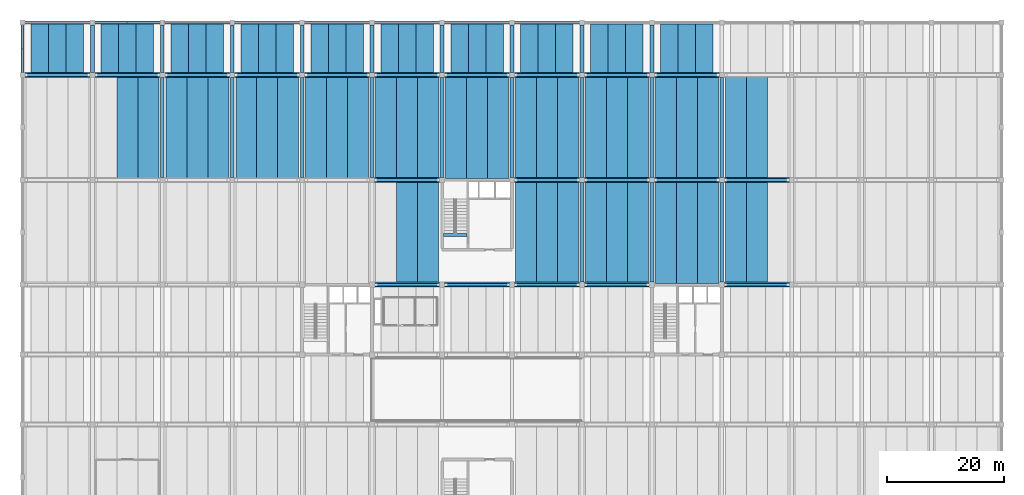
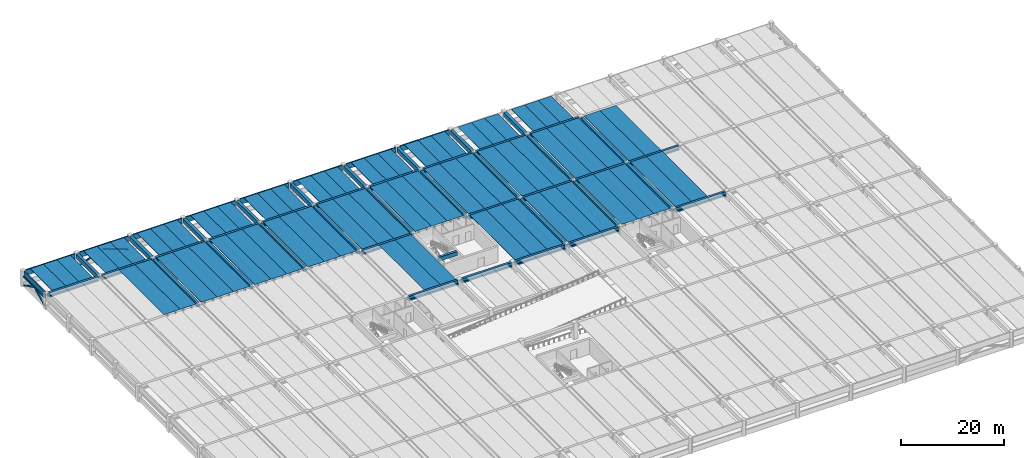
# One storey, part 4 of 19: 122 beams, 4 members.
"""IFC4 building model written with IfcOpenShell, lengths in metres."""

from ifc_helpers import new_model, si_unit, direction, frame, origin, origin_2d, place, context, subcontext, project, spatial, polyline, rectangle, hollow_rectangle, outline, extrude, material, material_profile, profile_set, type_object, element, save


model = new_model("IFC4")

# Units and contexts
model_context = context("Model", 3, precision=1e-05, world=origin(), true_north=direction((0.0, 1.0)))
body_context = subcontext(model_context, "Body", "Model", "MODEL_VIEW")
ifc_project = project(units=[si_unit("LENGTHUNIT", "METRE"), si_unit("AREAUNIT", "SQUARE_METRE"), si_unit("VOLUMEUNIT", "CUBIC_METRE"), si_unit("PLANEANGLEUNIT", "RADIAN"), si_unit("MASSUNIT", "GRAM", prefix="KILO")], contexts=[model_context])

# Site, building, storey
site_placement = place(None, origin())
site = spatial("IfcSite", under=ifc_project, at=site_placement, CompositionType="ELEMENT")
building_placement = place(site_placement, origin())
building = spatial("IfcBuilding", under=site, at=building_placement, Name="Girod Span Mobility Hub", CompositionType="ELEMENT")
storey_placement = place(building_placement, frame((0.0, 0.0, 9.60009765625)))
storey = spatial("IfcBuildingStorey", under=building, at=storey_placement, Name="L02", CompositionType="ELEMENT", Elevation=9.60009765625)

# Beams
ifc_material_1 = material(Name="Concrete C50/60", Category="concrete")
ifc_material_profile_1 = material_profile(ifc_material_1, outline(polyline([(-1.5, 0.35009765625), (-1.5, 0.2548828125), (-0.840087890625, 0.2548828125), (-0.81494140625, -0.35009765625), (-0.68505859375, -0.35009765625), (-0.659912109375, 0.2548828125), (0.659912109375, 0.2548828125), (0.68505859375, -0.35009765625), (0.81494140625, -0.35009765625), (0.840087890625, 0.2548828125), (1.5, 0.2548828125), (1.5, 0.35009765625), (-1.5, 0.35009765625)])), Name="DT-3000X700")
ifc_profile_set_1 = profile_set([ifc_material_profile_1], Name="Concrete C50/60")
beam_type_1 = type_object("IfcBeamType", Name="BM-DT-3000X700", PredefinedType="JOIST", material=ifc_profile_set_1)
for number, where, z_axis, x_axis, name in (
    (1, (3.0, 105.2470703125, 3.284912109375), (0.0, 1.0, 0.0), (-1.0, 0.0, 0.0), "Double-Tee Deck 1/H-1 L02"),
    (2, (6.0, 105.2470703125, 3.284912109375), (0.0, 1.0, 0.0), (-1.0, 0.0, 0.0), "Double-Tee Deck 1/H-2 L02"),
    (3, (9.0, 105.2470703125, 3.284912109375), (0.0, 1.0, 0.0), (-1.0, 0.0, 0.0), "Double-Tee Deck 1/H-3 L02"),
    (4, (15.0, 105.2470703125, 3.284912109375), (0.0, 1.0, 0.0), (-1.0, 0.0, 0.0), "Double-Tee Deck 2/H-1 L02"),
    (5, (18.0, 105.2470703125, 3.284912109375), (0.0, 1.0, 0.0), (-1.0, 0.0, 0.0), "Double-Tee Deck 2/H-2 L02"),
    (6, (21.0, 105.2470703125, 3.284912109375), (0.0, 1.0, 0.0), (-1.0, 0.0, 0.0), "Double-Tee Deck 2/H-3 L02"),
    (7, (27.0, 105.2470703125, 3.284912109375), (0.0, 1.0, 0.0), (-1.0, 0.0, 0.0), "Double-Tee Deck 3/H-1 L02"),
    (8, (30.0, 105.2470703125, 3.284912109375), (0.0, 1.0, 0.0), (-1.0, 0.0, 0.0), "Double-Tee Deck 3/H-2 L02"),
    (9, (33.0, 105.2470703125, 3.284912109375), (0.0, 1.0, 0.0), (-1.0, 0.0, 0.0), "Double-Tee Deck 3/H-3 L02"),
    (10, (39.0, 105.2470703125, 3.284912109375), (0.0, 1.0, 0.0), (-1.0, 0.0, 0.0), "Double-Tee Deck 4/H-1 L02"),
    (11, (42.0, 105.2470703125, 3.284912109375), (0.0, 1.0, 0.0), (-1.0, 0.0, 0.0), "Double-Tee Deck 4/H-2 L02"),
    (12, (45.0, 105.2470703125, 3.284912109375), (0.0, 1.0, 0.0), (-1.0, 0.0, 0.0), "Double-Tee Deck 4/H-3 L02"),
    (13, (51.0, 105.2470703125, 3.284912109375), (0.0, 1.0, 0.0), (-1.0, 0.0, 0.0), "Double-Tee Deck 5/H-1 L02"),
    (14, (54.0, 105.2470703125, 3.284912109375), (0.0, 1.0, 0.0), (-1.0, 0.0, 0.0), "Double-Tee Deck 5/H-2 L02"),
    (15, (57.0, 105.2470703125, 3.284912109375), (0.0, 1.0, 0.0), (-1.0, 0.0, 0.0), "Double-Tee Deck 5/H-3 L02"),
    (16, (63.0, 105.2470703125, 3.284912109375), (0.0, 1.0, 0.0), (-1.0, 0.0, 0.0), "Double-Tee Deck 6/H-1 L02"),
    (17, (66.0, 105.2470703125, 3.284912109375), (0.0, 1.0, 0.0), (-1.0, 0.0, 0.0), "Double-Tee Deck 6/H-2 L02"),
    (18, (69.0, 105.2470703125, 3.284912109375), (0.0, 1.0, 0.0), (-1.0, 0.0, 0.0), "Double-Tee Deck 6/H-3 L02"),
    (19, (75.0, 105.2470703125, 3.284912109375), (0.0, 1.0, 0.0), (-1.0, 0.0, 0.0), "Double-Tee Deck 7/H-1 L02"),
    (20, (78.0, 105.2470703125, 3.284912109375), (0.0, 1.0, 0.0), (-1.0, 0.0, 0.0), "Double-Tee Deck 7/H-2 L02"),
    (21, (81.0, 105.2470703125, 3.284912109375), (0.0, 1.0, 0.0), (-1.0, 0.0, 0.0), "Double-Tee Deck 7/H-3 L02"),
    (22, (87.0, 105.2470703125, 3.284912109375), (0.0, 1.0, 0.0), (-1.0, 0.0, 0.0), "Double-Tee Deck 8/H-1 L02"),
    (23, (90.0, 105.2470703125, 3.284912109375), (0.0, 1.0, 0.0), (-1.0, 0.0, 0.0), "Double-Tee Deck 8/H-2 L02"),
    (24, (93.0, 105.2470703125, 3.284912109375), (0.0, 1.0, 0.0), (-1.0, 0.0, 0.0), "Double-Tee Deck 8/H-3 L02"),
    (25, (99.0, 105.2470703125, 3.284912109375), (0.0, 1.0, 0.0), (-1.0, 0.0, 0.0), "Double-Tee Deck 9/H-1 L02"),
    (26, (102.0, 105.2470703125, 3.284912109375), (0.0, 1.0, 0.0), (-1.0, 0.0, 0.0), "Double-Tee Deck 9/H-2 L02"),
    (27, (105.0, 105.2470703125, 3.284912109375), (0.0, 1.0, 0.0), (-1.0, 0.0, 0.0), "Double-Tee Deck 9/H-3 L02"),
    (28, (111.0, 105.2470703125, 3.284912109375), (0.0, 1.0, 0.0), (-1.0, 0.0, 0.0), "Double-Tee Deck 10/H-1 L02"),
    (29, (114.0, 105.2470703125, 3.284912109375), (0.0, 1.0, 0.0), (-1.0, 0.0, 0.0), "Double-Tee Deck 10/H-2 L02"),
    (30, (117.0, 105.2470703125, 3.284912109375), (0.0, 1.0, 0.0), (-1.0, 0.0, 0.0), "Double-Tee Deck 10/H-3 L02"),
):
    element("IfcBeam", number, at=place(storey_placement, frame(where, z_axis=z_axis, x_axis=x_axis)), inside=storey, type_object=beam_type_1, Name=name, PredefinedType="JOIST", context=body_context, shape_type="SweptSolid", body=[
        extrude(outline(polyline([(-1.5, 0.35009765625), (-1.5, 0.2548828125), (-0.840087890625, 0.2548828125), (-0.81494140625, -0.35009765625), (-0.68505859375, -0.35009765625), (-0.659912109375, 0.2548828125), (0.659912109375, 0.2548828125), (0.68505859375, -0.35009765625), (0.81494140625, -0.35009765625), (0.840087890625, 0.2548828125), (1.5, 0.2548828125), (1.5, 0.35009765625), (-1.5, 0.35009765625)])), origin(), (0.0, 0.0, 1.0), 8.531005859375),
    ])
ifc_material_2 = material(Name="Concrete C50/60", Category="concrete")
ifc_material_profile_2 = material_profile(ifc_material_2, outline(polyline([(-1.800048828125, 0.425048828125), (-1.800048828125, 0.324951171875), (-1.0, 0.324951171875), (-0.969970703125, -0.425048828125), (-0.830078125, -0.425048828125), (-0.800048828125, 0.324951171875), (0.800048828125, 0.324951171875), (0.830078125, -0.425048828125), (0.969970703125, -0.425048828125), (1.0, 0.324951171875), (1.800048828125, 0.324951171875), (1.800048828125, 0.425048828125), (-1.800048828125, 0.425048828125)])), Name="DT-3600X850")
ifc_profile_set_2 = profile_set([ifc_material_profile_2], Name="Concrete C50/60")
beam_type_2 = type_object("IfcBeamType", Name="BM-DT-3600X850", PredefinedType="JOIST", material=ifc_profile_set_2)
for number, where, z_axis, x_axis, name in (
    (31, (18.0, 87.2470703125, 3.2099609375), (0.0, 1.0, 0.0), (-1.0, 0.0, 0.0), "Double-Tee Deck 2/G-2 L02"),
    (32, (21.60009765625, 87.2470703125, 3.2099609375), (0.0, 1.0, 0.0), (-1.0, 0.0, 0.0), "Double-Tee Deck 2/G-3 L02"),
    (33, (26.39990234375, 87.2470703125, 3.2099609375), (0.0, 1.0, 0.0), (-1.0, 0.0, 0.0), "Double-Tee Deck 3/G-1 L02"),
    (34, (30.0, 87.2470703125, 3.2099609375), (0.0, 1.0, 0.0), (-1.0, 0.0, 0.0), "Double-Tee Deck 3/G-2 L02"),
    (35, (33.60009765625, 87.2470703125, 3.2099609375), (0.0, 1.0, 0.0), (-1.0, 0.0, 0.0), "Double-Tee Deck 3/G-3 L02"),
    (36, (38.39990234375, 87.2470703125, 3.2099609375), (0.0, 1.0, 0.0), (-1.0, 0.0, 0.0), "Double-Tee Deck 4/G-1 L02"),
    (37, (42.0, 87.2470703125, 3.2099609375), (0.0, 1.0, 0.0), (-1.0, 0.0, 0.0), "Double-Tee Deck 4/G-2 L02"),
    (38, (45.60009765625, 87.2470703125, 3.2099609375), (0.0, 1.0, 0.0), (-1.0, 0.0, 0.0), "Double-Tee Deck 4/G-3 L02"),
    (39, (50.39990234375, 87.2470703125, 3.2099609375), (0.0, 1.0, 0.0), (-1.0, 0.0, 0.0), "Double-Tee Deck 5/G-1 L02"),
    (40, (54.0, 87.2470703125, 3.2099609375), (0.0, 1.0, 0.0), (-1.0, 0.0, 0.0), "Double-Tee Deck 5/G-2 L02"),
    (41, (57.60009765625, 87.2470703125, 3.2099609375), (0.0, 1.0, 0.0), (-1.0, 0.0, 0.0), "Double-Tee Deck 5/G-3 L02"),
    (42, (66.0, 69.2470703125, 3.2099609375), (0.0, 1.0, 0.0), (-1.0, 0.0, 0.0), "Double-Tee Deck 6/F-2 L02"),
    (43, (69.60009765625, 69.2470703125, 3.2099609375), (0.0, 1.0, 0.0), (-1.0, 0.0, 0.0), "Double-Tee Deck 6/F-3 L02"),
    (44, (62.39990234375, 87.2470703125, 3.2099609375), (0.0, 1.0, 0.0), (-1.0, 0.0, 0.0), "Double-Tee Deck 6/G-1 L02"),
    (45, (66.0, 87.2470703125, 3.2099609375), (0.0, 1.0, 0.0), (-1.0, 0.0, 0.0), "Double-Tee Deck 6/G-2 L02"),
    (46, (69.60009765625, 87.2470703125, 3.2099609375), (0.0, 1.0, 0.0), (-1.0, 0.0, 0.0), "Double-Tee Deck 6/G-3 L02"),
):
    element("IfcBeam", number, at=place(storey_placement, frame(where, z_axis=z_axis, x_axis=x_axis)), inside=storey, type_object=beam_type_2, Name=name, PredefinedType="JOIST", context=body_context, shape_type="SweptSolid", body=[
        extrude(outline(polyline([(-1.800048828125, 0.425048828125), (-1.800048828125, 0.324951171875), (-1.0, 0.324951171875), (-0.969970703125, -0.425048828125), (-0.830078125, -0.425048828125), (-0.800048828125, 0.324951171875), (0.800048828125, 0.324951171875), (0.830078125, -0.425048828125), (0.969970703125, -0.425048828125), (1.0, 0.324951171875), (1.800048828125, 0.324951171875), (1.800048828125, 0.425048828125), (-1.800048828125, 0.425048828125)])), origin(), (0.0, 0.0, 1.0), 17.505859375),
    ])
for number, where, z_axis, x_axis, name in (
    (47, (74.39990234375, 87.221923828125, 3.2099609375), (0.0, 1.0, 0.0), (-1.0, 0.0, 0.0), "Double-Tee Deck 7/G-1 L02"),
    (48, (78.0, 87.221923828125, 3.2099609375), (0.0, 1.0, 0.0), (-1.0, 0.0, 0.0), "Double-Tee Deck 7/G-2 L02"),
    (49, (81.60009765625, 87.221923828125, 3.2099609375), (0.0, 1.0, 0.0), (-1.0, 0.0, 0.0), "Double-Tee Deck 7/G-3 L02"),
):
    element("IfcBeam", number, at=place(storey_placement, frame(where, z_axis=z_axis, x_axis=x_axis)), inside=storey, type_object=beam_type_2, Name=name, PredefinedType="JOIST", context=body_context, shape_type="SweptSolid", body=[
        extrude(outline(polyline([(-1.800048828125, 0.425048828125), (-1.800048828125, 0.324951171875), (-1.0, 0.324951171875), (-0.969970703125, -0.425048828125), (-0.830078125, -0.425048828125), (-0.800048828125, 0.324951171875), (0.800048828125, 0.324951171875), (0.830078125, -0.425048828125), (0.969970703125, -0.425048828125), (1.0, 0.324951171875), (1.800048828125, 0.324951171875), (1.800048828125, 0.425048828125), (-1.800048828125, 0.425048828125)])), origin(), (0.0, 0.0, 1.0), 17.531005859375),
    ])
for number, where, z_axis, x_axis, name in (
    (50, (86.39990234375, 69.2470703125, 3.2099609375), (0.0, 1.0, 0.0), (-1.0, 0.0, 0.0), "Double-Tee Deck 8/F-1 L02"),
    (51, (90.0, 69.2470703125, 3.2099609375), (0.0, 1.0, 0.0), (-1.0, 0.0, 0.0), "Double-Tee Deck 8/F-2 L02"),
    (52, (93.60009765625, 69.2470703125, 3.2099609375), (0.0, 1.0, 0.0), (-1.0, 0.0, 0.0), "Double-Tee Deck 8/F-3 L02"),
    (53, (86.39990234375, 87.2470703125, 3.2099609375), (0.0, 1.0, 0.0), (-1.0, 0.0, 0.0), "Double-Tee Deck 8/G-1 L02"),
    (54, (90.0, 87.2470703125, 3.2099609375), (0.0, 1.0, 0.0), (-1.0, 0.0, 0.0), "Double-Tee Deck 8/G-2 L02"),
    (55, (93.60009765625, 87.2470703125, 3.2099609375), (0.0, 1.0, 0.0), (-1.0, 0.0, 0.0), "Double-Tee Deck 8/G-3 L02"),
    (56, (98.39990234375, 69.2470703125, 3.2099609375), (0.0, 1.0, 0.0), (-1.0, 0.0, 0.0), "Double-Tee Deck 9/F-1 L02"),
    (57, (102.0, 69.2470703125, 3.2099609375), (0.0, 1.0, 0.0), (-1.0, 0.0, 0.0), "Double-Tee Deck 9/F-2 L02"),
    (58, (105.60009765625, 69.2470703125, 3.2099609375), (0.0, 1.0, 0.0), (-1.0, 0.0, 0.0), "Double-Tee Deck 9/F-3 L02"),
    (59, (98.39990234375, 87.2470703125, 3.2099609375), (0.0, 1.0, 0.0), (-1.0, 0.0, 0.0), "Double-Tee Deck 9/G-1 L02"),
    (60, (102.0, 87.2470703125, 3.2099609375), (0.0, 1.0, 0.0), (-1.0, 0.0, 0.0), "Double-Tee Deck 9/G-2 L02"),
    (61, (105.60009765625, 87.2470703125, 3.2099609375), (0.0, 1.0, 0.0), (-1.0, 0.0, 0.0), "Double-Tee Deck 9/G-3 L02"),
    (62, (110.39990234375, 69.2470703125, 3.2099609375), (0.0, 1.0, 0.0), (-1.0, 0.0, 0.0), "Double-Tee Deck 10/F-1 L02"),
    (63, (114.0, 69.2470703125, 3.2099609375), (0.0, 1.0, 0.0), (-1.0, 0.0, 0.0), "Double-Tee Deck 10/F-2 L02"),
    (64, (117.60009765625, 69.2470703125, 3.2099609375), (0.0, 1.0, 0.0), (-1.0, 0.0, 0.0), "Double-Tee Deck 10/F-3 L02"),
    (65, (110.39990234375, 87.2470703125, 3.2099609375), (0.0, 1.0, 0.0), (-1.0, 0.0, 0.0), "Double-Tee Deck 10/G-1 L02"),
    (66, (114.0, 87.2470703125, 3.2099609375), (0.0, 1.0, 0.0), (-1.0, 0.0, 0.0), "Double-Tee Deck 10/G-2 L02"),
    (67, (117.60009765625, 87.2470703125, 3.2099609375), (0.0, 1.0, 0.0), (-1.0, 0.0, 0.0), "Double-Tee Deck 10/G-3 L02"),
    (68, (122.39990234375, 69.2470703125, 3.2099609375), (0.0, 1.0, 0.0), (-1.0, 0.0, 0.0), "Double-Tee Deck 11/F-1 L02"),
    (69, (126.0, 69.2470703125, 3.2099609375), (0.0, 1.0, 0.0), (-1.0, 0.0, 0.0), "Double-Tee Deck 11/F-2 L02"),
    (70, (122.39990234375, 87.2470703125, 3.2099609375), (0.0, 1.0, 0.0), (-1.0, 0.0, 0.0), "Double-Tee Deck 11/G-1 L02"),
    (71, (126.0, 87.2470703125, 3.2099609375), (0.0, 1.0, 0.0), (-1.0, 0.0, 0.0), "Double-Tee Deck 11/G-2 L02"),
):
    element("IfcBeam", number, at=place(storey_placement, frame(where, z_axis=z_axis, x_axis=x_axis)), inside=storey, type_object=beam_type_2, Name=name, PredefinedType="JOIST", context=body_context, shape_type="SweptSolid", body=[
        extrude(outline(polyline([(-1.800048828125, 0.425048828125), (-1.800048828125, 0.324951171875), (-1.0, 0.324951171875), (-0.969970703125, -0.425048828125), (-0.830078125, -0.425048828125), (-0.800048828125, 0.324951171875), (0.800048828125, 0.324951171875), (0.830078125, -0.425048828125), (0.969970703125, -0.425048828125), (1.0, 0.324951171875), (1.800048828125, 0.324951171875), (1.800048828125, 0.425048828125), (-1.800048828125, 0.425048828125)])), origin(), (0.0, 0.0, 1.0), 17.505859375),
    ])
ifc_material_3 = material(Name="Concrete C50/60", Category="concrete")
ifc_material_profile_3 = material_profile(ifc_material_3, outline(polyline([(-0.425048828125, -0.47509765625), (0.425048828125, -0.47509765625), (0.425048828125, -0.155029296875), (0.25, -0.155029296875), (0.25, 0.47509765625), (-0.25, 0.47509765625), (-0.25, -0.155029296875), (-0.425048828125, -0.155029296875), (-0.425048828125, -0.47509765625)])), Name="IT-850X950")
ifc_profile_set_3 = profile_set([ifc_material_profile_3], Name="Concrete C50/60")
beam_type_3 = type_object("IfcBeamType", Name="BM-IT-850X950", PredefinedType="T_BEAM", material=ifc_profile_set_3)
for number, where, z_axis, x_axis, name in (
    (72, (60.447021484375, 69.0, 3.159912109375), (1.0, 0.0, 0.0), (0.0, 1.0, 0.0), "Girder 6-7/F L02"),
    (73, (72.447021484375, 69.0, 3.159912109375), (1.0, 0.0, 0.0), (0.0, 1.0, 0.0), "Girder 7-8/F L02"),
    (74, (84.447021484375, 69.0, 3.159912109375), (1.0, 0.0, 0.0), (0.0, 1.0, 0.0), "Girder 8-9/F L02"),
    (75, (96.447021484375, 69.0, 3.159912109375), (1.0, 0.0, 0.0), (0.0, 1.0, 0.0), "Girder 9-10/F L02"),
):
    element("IfcBeam", number, at=place(storey_placement, frame(where, z_axis=z_axis, x_axis=x_axis)), inside=storey, type_object=beam_type_3, Name=name, PredefinedType="T_BEAM", context=body_context, shape_type="SweptSolid", body=[
        extrude(outline(polyline([(-0.425048828125, -0.47509765625), (0.425048828125, -0.47509765625), (0.425048828125, -0.155029296875), (0.25, -0.155029296875), (0.25, 0.47509765625), (-0.25, 0.47509765625), (-0.25, -0.155029296875), (-0.425048828125, -0.155029296875), (-0.425048828125, -0.47509765625)])), origin(), (0.0, 0.0, 1.0), 11.10595703125),
    ])
beam_1_placement = place(storey_placement, frame((120.447021484375, 69.0, 3.159912109375), z_axis=(1.0, 0.0, 0.0), x_axis=(0.0, 1.0, 0.0)))
element("IfcBeam", 76, at=beam_1_placement, inside=storey, type_object=beam_type_3, Name="Girder 11-12/F L02", PredefinedType="T_BEAM", context=body_context, shape_type="SweptSolid", body=[
    extrude(outline(polyline([(-0.425048828125, -0.47509765625), (0.425048828125, -0.47509765625), (0.425048828125, -0.155029296875), (0.25, -0.155029296875), (0.25, 0.47509765625), (-0.25, 0.47509765625), (-0.25, -0.155029296875), (-0.425048828125, -0.155029296875), (-0.425048828125, -0.47509765625)])), origin(), (0.0, 0.0, 1.0), 11.130859375),
])
for number, where, z_axis, x_axis, name in (
    (77, (60.422119140625, 87.0, 3.159912109375), (1.0, 0.0, 0.0), (0.0, 1.0, 0.0), "Girder 6-7/G L02"),
    (78, (84.422119140625, 87.0, 3.159912109375), (1.0, 0.0, 0.0), (0.0, 1.0, 0.0), "Girder 8-9/G L02"),
    (79, (96.422119140625, 87.0, 3.159912109375), (1.0, 0.0, 0.0), (0.0, 1.0, 0.0), "Girder 9-10/G L02"),
    (80, (108.422119140625, 87.0, 3.159912109375), (1.0, 0.0, 0.0), (0.0, 1.0, 0.0), "Girder 10-11/G L02"),
    (81, (120.422119140625, 87.0, 3.159912109375), (1.0, 0.0, 0.0), (0.0, 1.0, 0.0), "Girder 11-12/G L02"),
    (82, (0.422119140625, 105.0, 3.159912109375), (1.0, 0.0, 0.0), (0.0, 1.0, 0.0), "Girder 1-2/H L02"),
    (83, (12.422119140625, 105.0, 3.159912109375), (1.0, 0.0, 0.0), (0.0, 1.0, 0.0), "Girder 2-3/H L02"),
    (84, (24.422119140625, 105.0, 3.159912109375), (1.0, 0.0, 0.0), (0.0, 1.0, 0.0), "Girder 3-4/H L02"),
    (85, (36.422119140625, 105.0, 3.159912109375), (1.0, 0.0, 0.0), (0.0, 1.0, 0.0), "Girder 4-5/H L02"),
    (86, (48.422119140625, 105.0, 3.159912109375), (1.0, 0.0, 0.0), (0.0, 1.0, 0.0), "Girder 5-6/H L02"),
    (87, (60.422119140625, 105.0, 3.159912109375), (1.0, 0.0, 0.0), (0.0, 1.0, 0.0), "Girder 6-7/H L02"),
    (88, (72.422119140625, 105.0, 3.159912109375), (1.0, 0.0, 0.0), (0.0, 1.0, 0.0), "Girder 7-8/H L02"),
    (89, (84.422119140625, 105.0, 3.159912109375), (1.0, 0.0, 0.0), (0.0, 1.0, 0.0), "Girder 8-9/H L02"),
    (90, (96.422119140625, 105.0, 3.159912109375), (1.0, 0.0, 0.0), (0.0, 1.0, 0.0), "Girder 9-10/H L02"),
    (91, (108.422119140625, 105.0, 3.159912109375), (1.0, 0.0, 0.0), (0.0, 1.0, 0.0), "Girder 10-11/H L02"),
):
    element("IfcBeam", number, at=place(storey_placement, frame(where, z_axis=z_axis, x_axis=x_axis)), inside=storey, type_object=beam_type_3, Name=name, PredefinedType="T_BEAM", context=body_context, shape_type="SweptSolid", body=[
        extrude(outline(polyline([(-0.425048828125, -0.47509765625), (0.425048828125, -0.47509765625), (0.425048828125, -0.155029296875), (0.25, -0.155029296875), (0.25, 0.47509765625), (-0.25, 0.47509765625), (-0.25, -0.155029296875), (-0.425048828125, -0.155029296875), (-0.425048828125, -0.47509765625)])), origin(), (0.0, 0.0, 1.0), 11.15576171875),
    ])
ifc_material_4 = material(Name="Concrete C40/50", Category="concrete")
ifc_material_profile_4 = material_profile(ifc_material_4, rectangle(XDim=0.550048828125, YDim=0.949951171875, at=origin_2d()), Name="RK-550X950")
ifc_profile_set_4 = profile_set([ifc_material_profile_4], Name="Concrete C40/50")
beam_type_4 = type_object("IfcBeamType", Name="BM-RK-550X950", PredefinedType="BEAM", material=ifc_profile_set_4)
beam_2_placement = place(storey_placement, frame((72.221923828125, 77.550048828125, 3.159912109375), z_axis=(1.0, 0.0, 0.0), x_axis=(0.0, 1.0, 0.0)))
element("IfcBeam", 92, at=beam_2_placement, inside=storey, type_object=beam_type_4, Name="Stair ST-4 Landing Header Beam L02", PredefinedType="BEAM", context=body_context, shape_type="SweptSolid", body=[
    extrude(rectangle(XDim=0.550048828125, YDim=0.949951171875, at=origin_2d()), origin(), (0.0, 0.0, 1.0), 4.0810546875),
])
ifc_material_5 = material(Name="Concrete C40/50", Category="concrete")
ifc_material_profile_5 = material_profile(ifc_material_5, outline(polyline([(-0.22509765625, -0.675048828125), (0.22509765625, -0.675048828125), (0.22509765625, -0.324951171875), (0.02490234375, -0.324951171875), (0.02490234375, 0.675048828125), (-0.22509765625, 0.675048828125), (-0.22509765625, -0.675048828125)])), Name="SP-450X1350")
ifc_profile_set_5 = profile_set([ifc_material_profile_5], Name="Concrete C40/50")
beam_type_5 = type_object("IfcBeamType", Name="BM-SP-450X1350", PredefinedType="SPANDREL", material=ifc_profile_set_5)
for number, where, z_axis, x_axis, name in (
    (93, (0.422119140625, 114.0, 2.9599609375), (1.0, 0.0, 0.0), (0.0, 1.0, 0.0), "Girder 1-2/J L02"),
    (94, (12.422119140625, 114.0, 2.9599609375), (1.0, 0.0, 0.0), (0.0, 1.0, 0.0), "Girder 2-3/J L02"),
    (95, (24.422119140625, 114.0, 2.9599609375), (1.0, 0.0, 0.0), (0.0, 1.0, 0.0), "Girder 3-4/J L02"),
    (96, (36.422119140625, 114.0, 2.9599609375), (1.0, 0.0, 0.0), (0.0, 1.0, 0.0), "Girder 4-5/J L02"),
    (97, (48.422119140625, 114.0, 2.9599609375), (1.0, 0.0, 0.0), (0.0, 1.0, 0.0), "Girder 5-6/J L02"),
    (98, (60.422119140625, 114.0, 2.9599609375), (1.0, 0.0, 0.0), (0.0, 1.0, 0.0), "Girder 6-7/J L02"),
    (99, (72.422119140625, 114.0, 2.9599609375), (1.0, 0.0, 0.0), (0.0, 1.0, 0.0), "Girder 7-8/J L02"),
    (100, (84.422119140625, 114.0, 2.9599609375), (1.0, 0.0, 0.0), (0.0, 1.0, 0.0), "Girder 8-9/J L02"),
):
    element("IfcBeam", number, at=place(storey_placement, frame(where, z_axis=z_axis, x_axis=x_axis)), inside=storey, type_object=beam_type_5, Name=name, PredefinedType="SPANDREL", context=body_context, shape_type="SweptSolid", body=[
        extrude(outline(polyline([(-0.22509765625, -0.675048828125), (0.22509765625, -0.675048828125), (0.22509765625, -0.324951171875), (0.02490234375, -0.324951171875), (0.02490234375, 0.675048828125), (-0.22509765625, 0.675048828125), (-0.22509765625, -0.675048828125)])), origin(), (0.0, 0.0, 1.0), 11.15576171875),
    ])
beam_3_placement = place(storey_placement, frame((0.0, 105.422119140625, 2.9599609375), z_axis=(0.0, 1.0, 0.0), x_axis=(-1.0, 0.0, 0.0)))
element("IfcBeam", 101, at=beam_3_placement, inside=storey, type_object=beam_type_5, Name="Tie Girder 1/H-J L02", PredefinedType="SPANDREL", context=body_context, shape_type="SweptSolid", body=[
    extrude(outline(polyline([(-0.22509765625, -0.675048828125), (0.22509765625, -0.675048828125), (0.22509765625, -0.324951171875), (0.02490234375, -0.324951171875), (0.02490234375, 0.675048828125), (-0.22509765625, 0.675048828125), (-0.22509765625, -0.675048828125)])), origin(), (0.0, 0.0, 1.0), 8.15576171875),
])
ifc_material_6 = material(Name="Concrete C40/50", Category="concrete")
ifc_material_profile_6 = material_profile(ifc_material_6, rectangle(XDim=0.64990234375, YDim=1.0, at=origin_2d()), Name="TG-650X1000")
ifc_profile_set_6 = profile_set([ifc_material_profile_6], Name="Concrete C40/50")
beam_type_6 = type_object("IfcBeamType", Name="BM-TG-650X1000", PredefinedType="T_BEAM", material=ifc_profile_set_6)
beam_4_placement = place(storey_placement, frame((12.0, 105.422119140625, 3.135009765625), z_axis=(0.0, 1.0, 0.0), x_axis=(-1.0, 0.0, 0.0)))
element("IfcBeam", 102, at=beam_4_placement, inside=storey, type_object=beam_type_6, Name="Tie Girder 2/H-J L02", PredefinedType="T_BEAM", context=body_context, shape_type="SweptSolid", body=[
    extrude(rectangle(XDim=0.64990234375, YDim=1.0, at=origin_2d()), origin(), (0.0, 0.0, 1.0), 8.15576171875),
])
beam_5_placement = place(storey_placement, frame((24.0, 87.422119140625, 3.135009765625), z_axis=(0.0, 1.0, 0.0), x_axis=(-1.0, 0.0, 0.0)))
element("IfcBeam", 103, at=beam_5_placement, inside=storey, type_object=beam_type_6, Name="Tie Girder 3/G-H L02", PredefinedType="T_BEAM", context=body_context, shape_type="SweptSolid", body=[
    extrude(rectangle(XDim=0.64990234375, YDim=1.0, at=origin_2d()), origin(), (0.0, 0.0, 1.0), 17.15576171875),
])
beam_6_placement = place(storey_placement, frame((24.0, 105.422119140625, 3.135009765625), z_axis=(0.0, 1.0, 0.0), x_axis=(-1.0, 0.0, 0.0)))
element("IfcBeam", 104, at=beam_6_placement, inside=storey, type_object=beam_type_6, Name="Tie Girder 3/H-J L02", PredefinedType="T_BEAM", context=body_context, shape_type="SweptSolid", body=[
    extrude(rectangle(XDim=0.64990234375, YDim=1.0, at=origin_2d()), origin(), (0.0, 0.0, 1.0), 8.15576171875),
])
beam_7_placement = place(storey_placement, frame((36.0, 87.422119140625, 3.135009765625), z_axis=(0.0, 1.0, 0.0), x_axis=(-1.0, 0.0, 0.0)))
element("IfcBeam", 105, at=beam_7_placement, inside=storey, type_object=beam_type_6, Name="Tie Girder 4/G-H L02", PredefinedType="T_BEAM", context=body_context, shape_type="SweptSolid", body=[
    extrude(rectangle(XDim=0.64990234375, YDim=1.0, at=origin_2d()), origin(), (0.0, 0.0, 1.0), 17.15576171875),
])
beam_8_placement = place(storey_placement, frame((36.0, 105.422119140625, 3.135009765625), z_axis=(0.0, 1.0, 0.0), x_axis=(-1.0, 0.0, 0.0)))
element("IfcBeam", 106, at=beam_8_placement, inside=storey, type_object=beam_type_6, Name="Tie Girder 4/H-J L02", PredefinedType="T_BEAM", context=body_context, shape_type="SweptSolid", body=[
    extrude(rectangle(XDim=0.64990234375, YDim=1.0, at=origin_2d()), origin(), (0.0, 0.0, 1.0), 8.15576171875),
])
beam_9_placement = place(storey_placement, frame((48.0, 87.422119140625, 3.135009765625), z_axis=(0.0, 1.0, 0.0), x_axis=(-1.0, 0.0, 0.0)))
element("IfcBeam", 107, at=beam_9_placement, inside=storey, type_object=beam_type_6, Name="Tie Girder 5/G-H L02", PredefinedType="T_BEAM", context=body_context, shape_type="SweptSolid", body=[
    extrude(rectangle(XDim=0.64990234375, YDim=1.0, at=origin_2d()), origin(), (0.0, 0.0, 1.0), 17.15576171875),
])
beam_10_placement = place(storey_placement, frame((48.0, 105.422119140625, 3.135009765625), z_axis=(0.0, 1.0, 0.0), x_axis=(-1.0, 0.0, 0.0)))
element("IfcBeam", 108, at=beam_10_placement, inside=storey, type_object=beam_type_6, Name="Tie Girder 5/H-J L02", PredefinedType="T_BEAM", context=body_context, shape_type="SweptSolid", body=[
    extrude(rectangle(XDim=0.64990234375, YDim=1.0, at=origin_2d()), origin(), (0.0, 0.0, 1.0), 8.15576171875),
])
beam_11_placement = place(storey_placement, frame((60.0, 87.422119140625, 3.135009765625), z_axis=(0.0, 1.0, 0.0), x_axis=(-1.0, 0.0, 0.0)))
element("IfcBeam", 109, at=beam_11_placement, inside=storey, type_object=beam_type_6, Name="Tie Girder 6/G-H L02", PredefinedType="T_BEAM", context=body_context, shape_type="SweptSolid", body=[
    extrude(rectangle(XDim=0.64990234375, YDim=1.0, at=origin_2d()), origin(), (0.0, 0.0, 1.0), 17.15576171875),
])
beam_12_placement = place(storey_placement, frame((60.0, 105.422119140625, 3.135009765625), z_axis=(0.0, 1.0, 0.0), x_axis=(-1.0, 0.0, 0.0)))
element("IfcBeam", 110, at=beam_12_placement, inside=storey, type_object=beam_type_6, Name="Tie Girder 6/H-J L02", PredefinedType="T_BEAM", context=body_context, shape_type="SweptSolid", body=[
    extrude(rectangle(XDim=0.64990234375, YDim=1.0, at=origin_2d()), origin(), (0.0, 0.0, 1.0), 8.15576171875),
])
beam_13_placement = place(storey_placement, frame((72.0, 87.422119140625, 3.135009765625), z_axis=(0.0, 1.0, 0.0), x_axis=(-1.0, 0.0, 0.0)))
element("IfcBeam", 111, at=beam_13_placement, inside=storey, type_object=beam_type_6, Name="Tie Girder 7/G-H L02", PredefinedType="T_BEAM", context=body_context, shape_type="SweptSolid", body=[
    extrude(rectangle(XDim=0.64990234375, YDim=1.0, at=origin_2d()), origin(), (0.0, 0.0, 1.0), 17.15576171875),
])
beam_14_placement = place(storey_placement, frame((72.0, 105.422119140625, 3.135009765625), z_axis=(0.0, 1.0, 0.0), x_axis=(-1.0, 0.0, 0.0)))
element("IfcBeam", 112, at=beam_14_placement, inside=storey, type_object=beam_type_6, Name="Tie Girder 7/H-J L02", PredefinedType="T_BEAM", context=body_context, shape_type="SweptSolid", body=[
    extrude(rectangle(XDim=0.64990234375, YDim=1.0, at=origin_2d()), origin(), (0.0, 0.0, 1.0), 8.15576171875),
])
beam_15_placement = place(storey_placement, frame((84.0, 87.422119140625, 3.135009765625), z_axis=(0.0, 1.0, 0.0), x_axis=(-1.0, 0.0, 0.0)))
element("IfcBeam", 113, at=beam_15_placement, inside=storey, type_object=beam_type_6, Name="Tie Girder 8/G-H L02", PredefinedType="T_BEAM", context=body_context, shape_type="SweptSolid", body=[
    extrude(rectangle(XDim=0.64990234375, YDim=1.0, at=origin_2d()), origin(), (0.0, 0.0, 1.0), 17.15576171875),
])
beam_16_placement = place(storey_placement, frame((84.0, 105.422119140625, 3.135009765625), z_axis=(0.0, 1.0, 0.0), x_axis=(-1.0, 0.0, 0.0)))
element("IfcBeam", 114, at=beam_16_placement, inside=storey, type_object=beam_type_6, Name="Tie Girder 8/H-J L02", PredefinedType="T_BEAM", context=body_context, shape_type="SweptSolid", body=[
    extrude(rectangle(XDim=0.64990234375, YDim=1.0, at=origin_2d()), origin(), (0.0, 0.0, 1.0), 8.15576171875),
])
beam_17_placement = place(storey_placement, frame((96.0, 69.447021484375, 3.135009765625), z_axis=(0.0, 1.0, 0.0), x_axis=(-1.0, 0.0, 0.0)))
element("IfcBeam", 115, at=beam_17_placement, inside=storey, type_object=beam_type_6, Name="Tie Girder 9/F-G L02", PredefinedType="T_BEAM", context=body_context, shape_type="SweptSolid", body=[
    extrude(rectangle(XDim=0.64990234375, YDim=1.0, at=origin_2d()), origin(), (0.0, 0.0, 1.0), 17.130859375),
])
beam_18_placement = place(storey_placement, frame((96.0, 87.422119140625, 3.135009765625), z_axis=(0.0, 1.0, 0.0), x_axis=(-1.0, 0.0, 0.0)))
element("IfcBeam", 116, at=beam_18_placement, inside=storey, type_object=beam_type_6, Name="Tie Girder 9/G-H L02", PredefinedType="T_BEAM", context=body_context, shape_type="SweptSolid", body=[
    extrude(rectangle(XDim=0.64990234375, YDim=1.0, at=origin_2d()), origin(), (0.0, 0.0, 1.0), 17.15576171875),
])
beam_19_placement = place(storey_placement, frame((96.0, 105.422119140625, 3.135009765625), z_axis=(0.0, 1.0, 0.0), x_axis=(-1.0, 0.0, 0.0)))
element("IfcBeam", 117, at=beam_19_placement, inside=storey, type_object=beam_type_6, Name="Tie Girder 9/H-J L02", PredefinedType="T_BEAM", context=body_context, shape_type="SweptSolid", body=[
    extrude(rectangle(XDim=0.64990234375, YDim=1.0, at=origin_2d()), origin(), (0.0, 0.0, 1.0), 8.15576171875),
])
beam_20_placement = place(storey_placement, frame((108.0, 69.447021484375, 3.135009765625), z_axis=(0.0, 1.0, 0.0), x_axis=(-1.0, 0.0, 0.0)))
element("IfcBeam", 118, at=beam_20_placement, inside=storey, type_object=beam_type_6, Name="Tie Girder 10/F-G L02", PredefinedType="T_BEAM", context=body_context, shape_type="SweptSolid", body=[
    extrude(rectangle(XDim=0.64990234375, YDim=1.0, at=origin_2d()), origin(), (0.0, 0.0, 1.0), 17.130859375),
])
beam_21_placement = place(storey_placement, frame((108.0, 87.422119140625, 3.135009765625), z_axis=(0.0, 1.0, 0.0), x_axis=(-1.0, 0.0, 0.0)))
element("IfcBeam", 119, at=beam_21_placement, inside=storey, type_object=beam_type_6, Name="Tie Girder 10/G-H L02", PredefinedType="T_BEAM", context=body_context, shape_type="SweptSolid", body=[
    extrude(rectangle(XDim=0.64990234375, YDim=1.0, at=origin_2d()), origin(), (0.0, 0.0, 1.0), 17.15576171875),
])
beam_22_placement = place(storey_placement, frame((108.0, 105.422119140625, 3.135009765625), z_axis=(0.0, 1.0, 0.0), x_axis=(-1.0, 0.0, 0.0)))
element("IfcBeam", 120, at=beam_22_placement, inside=storey, type_object=beam_type_6, Name="Tie Girder 10/H-J L02", PredefinedType="T_BEAM", context=body_context, shape_type="SweptSolid", body=[
    extrude(rectangle(XDim=0.64990234375, YDim=1.0, at=origin_2d()), origin(), (0.0, 0.0, 1.0), 8.15576171875),
])
beam_23_placement = place(storey_placement, frame((120.0, 69.447021484375, 3.135009765625), z_axis=(0.0, 1.0, 0.0), x_axis=(-1.0, 0.0, 0.0)))
element("IfcBeam", 121, at=beam_23_placement, inside=storey, type_object=beam_type_6, Name="Tie Girder 11/F-G L02", PredefinedType="T_BEAM", context=body_context, shape_type="SweptSolid", body=[
    extrude(rectangle(XDim=0.64990234375, YDim=1.0, at=origin_2d()), origin(), (0.0, 0.0, 1.0), 17.130859375),
])
beam_24_placement = place(storey_placement, frame((120.0, 87.422119140625, 3.135009765625), z_axis=(0.0, 1.0, 0.0), x_axis=(-1.0, 0.0, 0.0)))
element("IfcBeam", 122, at=beam_24_placement, inside=storey, type_object=beam_type_6, Name="Tie Girder 11/G-H L02", PredefinedType="T_BEAM", context=body_context, shape_type="SweptSolid", body=[
    extrude(rectangle(XDim=0.64990234375, YDim=1.0, at=origin_2d()), origin(), (0.0, 0.0, 1.0), 17.15576171875),
])

# Members
ifc_material_7 = material(Name="Steel HSS A500 Grade C", Category="steel")
ifc_material_profile_7 = material_profile(ifc_material_7, hollow_rectangle(XDim=0.304931640625, YDim=0.304931640625, WallThickness=0.014892578125, InnerFilletRadius=0.014892578125, OuterFilletRadius=0.029541015625, at=origin_2d()), Name="HSS305X305X16")
ifc_profile_set_7 = profile_set([ifc_material_profile_7], Name="Steel HSS A500 Grade C")
member_type = type_object("IfcMemberType", Name="MB-BR-HSS305", PredefinedType="BRACE", material=ifc_profile_set_7)
for number, where, z_axis, x_axis, name in (
    (123, (12.405029296875, 114.0, 0.349853515625), (0.940836636114, 0.0, 0.33886047888), (0.0, 1.0, 0.0), "Perimeter Chevron Brace 2/J-L L02"),
    (124, (23.594970703125, 114.0, 0.349853515625), (-0.940836636114, 0.0, 0.33886047888), (0.0, -1.0, 0.0), "Perimeter Chevron Brace 2/J-R L02"),
):
    element("IfcMember", number, at=place(storey_placement, frame(where, z_axis=z_axis, x_axis=x_axis)), inside=storey, type_object=member_type, Name=name, PredefinedType="BRACE", context=body_context, shape_type="SweptSolid", body=[
        extrude(hollow_rectangle(XDim=0.304931640625, YDim=0.304931640625, WallThickness=0.014892578125, InnerFilletRadius=0.014892578125, OuterFilletRadius=0.029541015625, at=origin_2d()), origin(), (0.0, 0.0, 1.0), 5.94677734375),
    ])
for number, where, z_axis, x_axis, name in (
    (125, (0.0, 105.405029296875, 0.349853515625), (0.0, 0.897244365985, 0.441534310907), (-1.0, 0.0, 0.0), "Side Chevron Brace 1/H-S L02"),
    (126, (0.0, 113.594970703125, 0.349853515625), (0.0, -0.897244365985, 0.441534310907), (1.0, 0.0, 0.0), "Side Chevron Brace 1/H-N L02"),
):
    element("IfcMember", number, at=place(storey_placement, frame(where, z_axis=z_axis, x_axis=x_axis)), inside=storey, type_object=member_type, Name=name, PredefinedType="BRACE", context=body_context, shape_type="SweptSolid", body=[
        extrude(hollow_rectangle(XDim=0.304931640625, YDim=0.304931640625, WallThickness=0.014892578125, InnerFilletRadius=0.014892578125, OuterFilletRadius=0.029541015625, at=origin_2d()), origin(), (0.0, 0.0, 1.0), 4.56396484375),
    ])

save(model, "model.ifc")
